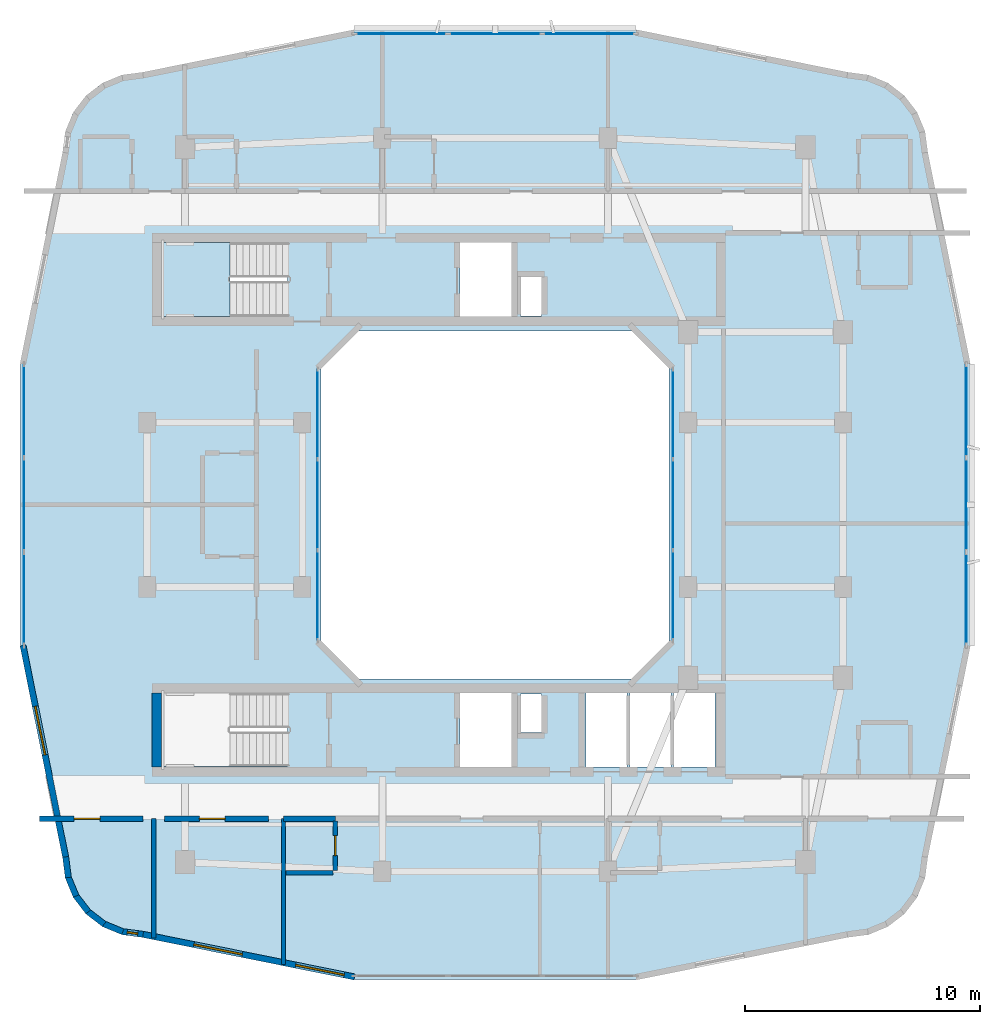
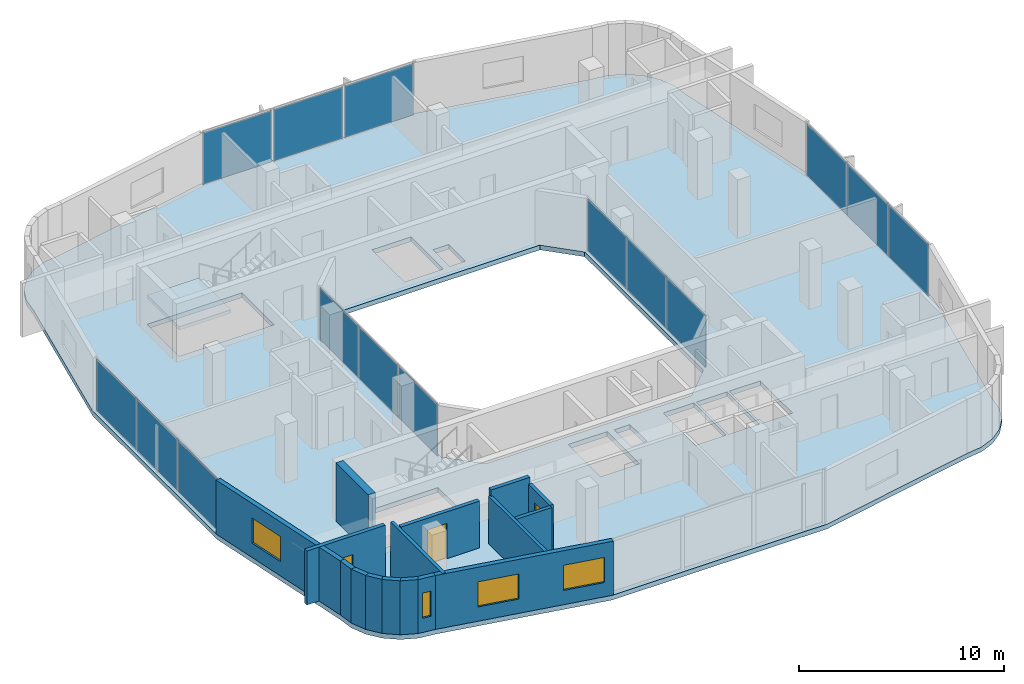
# One storey, part 6 of 14: 16 walls, 15 plates, 4 windows, 3 doors, 2 slabs, 7 openings, 6 elements without a shape of their own.
"""IFC4 building model written with IfcOpenShell, lengths in metres."""

from ifc_helpers import new_model, si_unit, derived_unit, direction, frame, frame_2d, origin, origin_2d, place, context, subcontext, project, spatial, polyline, rectangle, outline, extrude, material, layer, layer_set, type_object, element, fill, aggregate, save


model = new_model("IFC4")

# Units and contexts
model_context = context("Model", 3, precision=1e-05, world=origin(), true_north=direction((0.0, 1.0)))
body_context = subcontext(model_context, "Body", "Model", "MODEL_VIEW")
ifc_project = project(units=[si_unit("LENGTHUNIT", "METRE"), si_unit("AREAUNIT", "SQUARE_METRE"), si_unit("VOLUMEUNIT", "CUBIC_METRE"), si_unit("PLANEANGLEUNIT", "RADIAN"), si_unit("MASSUNIT", "GRAM", prefix="KILO"), derived_unit("THERMALTRANSMITTANCEUNIT", [(si_unit("POWERUNIT", "WATT"), 1), (si_unit("LENGTHUNIT", "METRE"), -2), (si_unit("THERMODYNAMICTEMPERATUREUNIT", "KELVIN"), -1)])], contexts=[model_context])

# Site, building, storey
site_placement = place(None, origin())
site = spatial("IfcSite", under=ifc_project, at=site_placement, CompositionType="ELEMENT")
building_placement = place(site_placement, origin())
building = spatial("IfcBuilding", under=site, at=building_placement, Name="Kivonza Crest Hotel", CompositionType="ELEMENT")
storey_placement = place(building_placement, frame((0.0, 0.0, 159.0)))
storey = spatial("IfcBuildingStorey", under=building, at=storey_placement, Name="L43", CompositionType="ELEMENT", Elevation=159.0)

# Curtain wall, plates
ifc_material_1 = material(Name="Anodised bronze aluminium and low-E double glazing", Category="aluminium")
ifc_layer_1 = layer(ifc_material_1, 0.159912109375)
ifc_layer_set_1 = layer_set([ifc_layer_1], Name="Anodised bronze aluminium and low-E double glazing")
curtain_wall_type_1 = type_object("IfcCurtainWallType", Name="CW-SYS-5", PredefinedType="NOTDEFINED", material=ifc_layer_set_1)
curtain_wall_1_placement = place(storey_placement, origin())
curtain_wall_1 = element("IfcCurtainWall", 1, at=curtain_wall_1_placement, inside=storey, type_object=curtain_wall_type_1, Name="L43 unitised curtain wall CW-WELL-T1-L43-3", PredefinedType="NOTDEFINED")
ifc_material_2 = material(Name="Solar-control low-E double glazing", Category="glass")
ifc_layer_2 = layer(ifc_material_2, 0.028076171875)
ifc_layer_set_2 = layer_set([ifc_layer_2], Name="Solar-control low-E double glazing")
plate_type_1 = type_object("IfcPlateType", Name="CW-PNL-28", PredefinedType="CURTAIN_PANEL", material=ifc_layer_set_2)
plate_1_placement = place(storey_placement, frame((28.56005859375, 21.149658203125, 0.06494140625), z_axis=(0.0, 0.0, 1.0), x_axis=(0.0, 1.0, 0.0)))
plate_1 = element("IfcPlate", 2, at=plate_1_placement, type_object=plate_type_1, Name="CW-5 panel 1.1", PredefinedType="CURTAIN_PANEL", context=body_context, shape_type="SweptSolid", body=[
    extrude(rectangle(XDim=3.769287109375, YDim=0.028076171875, at=origin_2d()), origin(), (0.0, 0.0, 1.0), 3.090087890625),
])
plate_2_placement = place(storey_placement, frame((28.56005859375, 25.0, 0.06494140625), z_axis=(0.0, 0.0, 1.0), x_axis=(0.0, 1.0, 0.0)))
plate_2 = element("IfcPlate", 3, at=plate_2_placement, type_object=plate_type_1, Name="CW-5 panel 2.1", PredefinedType="CURTAIN_PANEL", context=body_context, shape_type="SweptSolid", body=[
    extrude(rectangle(XDim=3.8017578125, YDim=0.028076171875, at=origin_2d()), origin(), (0.0, 0.0, 1.0), 3.090087890625),
])
plate_3_placement = place(storey_placement, frame((28.56005859375, 28.850341796875, 0.06494140625), z_axis=(0.0, 0.0, 1.0), x_axis=(0.0, 1.0, 0.0)))
plate_3 = element("IfcPlate", 4, at=plate_3_placement, type_object=plate_type_1, Name="CW-5 panel 3.1", PredefinedType="CURTAIN_PANEL", context=body_context, shape_type="SweptSolid", body=[
    extrude(rectangle(XDim=3.769287109375, YDim=0.028076171875, at=origin_2d()), origin(), (0.0, 0.0, 1.0), 3.090087890625),
])
aggregate(curtain_wall_1, [plate_1, plate_2, plate_3])

curtain_wall_2_placement = place(storey_placement, origin())
curtain_wall_2 = element("IfcCurtainWall", 5, at=curtain_wall_2_placement, inside=storey, type_object=curtain_wall_type_1, Name="L43 unitised curtain wall CW-WELL-T1-L43-7", PredefinedType="NOTDEFINED")
plate_4_placement = place(storey_placement, frame((13.43994140625, 28.850341796875, 0.06494140625), z_axis=(0.0, 0.0, 1.0), x_axis=(0.0, -1.0, 0.0)))
plate_4 = element("IfcPlate", 6, at=plate_4_placement, type_object=plate_type_1, Name="CW-5 panel 1.1", PredefinedType="CURTAIN_PANEL", context=body_context, shape_type="SweptSolid", body=[
    extrude(rectangle(XDim=3.769287109375, YDim=0.028076171875, at=origin_2d()), origin(), (0.0, 0.0, 1.0), 3.090087890625),
])
plate_5_placement = place(storey_placement, frame((13.43994140625, 25.0, 0.06494140625), z_axis=(0.0, 0.0, 1.0), x_axis=(0.0, -1.0, 0.0)))
plate_5 = element("IfcPlate", 7, at=plate_5_placement, type_object=plate_type_1, Name="CW-5 panel 2.1", PredefinedType="CURTAIN_PANEL", context=body_context, shape_type="SweptSolid", body=[
    extrude(rectangle(XDim=3.8017578125, YDim=0.028076171875, at=origin_2d()), origin(), (0.0, 0.0, 1.0), 3.090087890625),
])
plate_6_placement = place(storey_placement, frame((13.43994140625, 21.149658203125, 0.06494140625), z_axis=(0.0, 0.0, 1.0), x_axis=(0.0, -1.0, 0.0)))
plate_6 = element("IfcPlate", 8, at=plate_6_placement, type_object=plate_type_1, Name="CW-5 panel 3.1", PredefinedType="CURTAIN_PANEL", context=body_context, shape_type="SweptSolid", body=[
    extrude(rectangle(XDim=3.769287109375, YDim=0.028076171875, at=origin_2d()), origin(), (0.0, 0.0, 1.0), 3.090087890625),
])
aggregate(curtain_wall_2, [plate_4, plate_5, plate_6])

ifc_layer_3 = layer(ifc_material_1, 0.179931640625)
ifc_layer_set_3 = layer_set([ifc_layer_3], Name="Anodised bronze aluminium and low-E double glazing")
curtain_wall_type_2 = type_object("IfcCurtainWallType", Name="CW-SYS-3", PredefinedType="NOTDEFINED", material=ifc_layer_set_3)
curtain_wall_3_placement = place(storey_placement, origin())
curtain_wall_3 = element("IfcCurtainWall", 9, at=curtain_wall_3_placement, inside=storey, type_object=curtain_wall_type_2, Name="L43 unitised curtain wall CW-T1-L43-17", PredefinedType="NOTDEFINED")
ifc_material_3 = material(Name="Acoustic triple-laminated low-E glazing", Category="glass")
ifc_layer_4 = layer(ifc_material_3, 0.035888671875)
ifc_layer_set_4 = layer_set([ifc_layer_4], Name="Acoustic triple-laminated low-E glazing")
plate_type_2 = type_object("IfcPlateType", Name="CW-PNL-36", PredefinedType="CURTAIN_PANEL", material=ifc_layer_set_4)
plate_7_placement = place(storey_placement, frame((41.0400390625, 21.00537109375, 0.0751953125), z_axis=(0.0, 0.0, 1.0), x_axis=(0.0, 1.0, 0.0)))
plate_7 = element("IfcPlate", 10, at=plate_7_placement, type_object=plate_type_2, Name="CW-3 panel 1.1", PredefinedType="CURTAIN_PANEL", context=body_context, shape_type="SweptSolid", body=[
    extrude(rectangle(XDim=3.90087890625, YDim=0.035888671875, at=origin_2d()), origin(), (0.0, 0.0, 1.0), 3.070068359375),
])
plate_8_placement = place(storey_placement, frame((41.0400390625, 25.0, 0.0751953125), z_axis=(0.0, 0.0, 1.0), x_axis=(0.0, 1.0, 0.0)))
plate_8 = element("IfcPlate", 11, at=plate_8_placement, type_object=plate_type_2, Name="CW-3 panel 2.1", PredefinedType="CURTAIN_PANEL", context=body_context, shape_type="SweptSolid", body=[
    extrude(rectangle(XDim=3.938232421875, YDim=0.035888671875, at=origin_2d()), origin(), (0.0, 0.0, 1.0), 3.070068359375),
])
plate_9_placement = place(storey_placement, frame((41.0400390625, 28.99462890625, 0.0751953125), z_axis=(0.0, 0.0, 1.0), x_axis=(0.0, 1.0, 0.0)))
plate_9 = element("IfcPlate", 12, at=plate_9_placement, type_object=plate_type_2, Name="CW-3 panel 3.1", PredefinedType="CURTAIN_PANEL", context=body_context, shape_type="SweptSolid", body=[
    extrude(rectangle(XDim=3.90087890625, YDim=0.035888671875, at=origin_2d()), origin(), (0.0, 0.0, 1.0), 3.070068359375),
])
aggregate(curtain_wall_3, [plate_7, plate_8, plate_9])

curtain_wall_4_placement = place(storey_placement, origin())
curtain_wall_4 = element("IfcCurtainWall", 13, at=curtain_wall_4_placement, inside=storey, type_object=curtain_wall_type_2, Name="L43 unitised curtain wall CW-T1-L43-26", PredefinedType="NOTDEFINED")
plate_10_placement = place(storey_placement, frame((24.99462890625, 45.0400390625, 0.0751953125), z_axis=(0.0, 0.0, 1.0), x_axis=(-1.0, 0.0, 0.0)))
plate_10 = element("IfcPlate", 14, at=plate_10_placement, type_object=plate_type_2, Name="CW-3 panel 1.1", PredefinedType="CURTAIN_PANEL", context=body_context, shape_type="SweptSolid", body=[
    extrude(rectangle(XDim=3.90087890625, YDim=0.035888671875, at=origin_2d()), origin(), (0.0, 0.0, 1.0), 3.070068359375),
])
plate_11_placement = place(storey_placement, frame((21.0, 45.0400390625, 0.0751953125), z_axis=(0.0, 0.0, 1.0), x_axis=(-1.0, 0.0, 0.0)))
plate_11 = element("IfcPlate", 15, at=plate_11_placement, type_object=plate_type_2, Name="CW-3 panel 2.1", PredefinedType="CURTAIN_PANEL", context=body_context, shape_type="SweptSolid", body=[
    extrude(rectangle(XDim=3.938232421875, YDim=0.035888671875, at=origin_2d()), origin(), (0.0, 0.0, 1.0), 3.070068359375),
])
plate_12_placement = place(storey_placement, frame((17.00537109375, 45.0400390625, 0.0751953125), z_axis=(0.0, 0.0, 1.0), x_axis=(-1.0, 0.0, 0.0)))
plate_12 = element("IfcPlate", 16, at=plate_12_placement, type_object=plate_type_2, Name="CW-3 panel 3.1", PredefinedType="CURTAIN_PANEL", context=body_context, shape_type="SweptSolid", body=[
    extrude(rectangle(XDim=3.90087890625, YDim=0.035888671875, at=origin_2d()), origin(), (0.0, 0.0, 1.0), 3.070068359375),
])
aggregate(curtain_wall_4, [plate_10, plate_11, plate_12])

curtain_wall_5_placement = place(storey_placement, origin())
curtain_wall_5 = element("IfcCurtainWall", 17, at=curtain_wall_5_placement, inside=storey, type_object=curtain_wall_type_2, Name="L43 unitised curtain wall CW-T1-L43-35", PredefinedType="NOTDEFINED")
plate_13_placement = place(storey_placement, frame((0.9599609375, 28.99462890625, 0.0751953125), z_axis=(0.0, 0.0, 1.0), x_axis=(0.0, -1.0, 0.0)))
plate_13 = element("IfcPlate", 18, at=plate_13_placement, type_object=plate_type_2, Name="CW-3 panel 1.1", PredefinedType="CURTAIN_PANEL", context=body_context, shape_type="SweptSolid", body=[
    extrude(rectangle(XDim=3.90087890625, YDim=0.035888671875, at=origin_2d()), origin(), (0.0, 0.0, 1.0), 3.070068359375),
])
plate_14_placement = place(storey_placement, frame((0.9599609375, 25.0, 0.0751953125), z_axis=(0.0, 0.0, 1.0), x_axis=(0.0, -1.0, 0.0)))
plate_14 = element("IfcPlate", 19, at=plate_14_placement, type_object=plate_type_2, Name="CW-3 panel 2.1", PredefinedType="CURTAIN_PANEL", context=body_context, shape_type="SweptSolid", body=[
    extrude(rectangle(XDim=3.938232421875, YDim=0.035888671875, at=origin_2d()), origin(), (0.0, 0.0, 1.0), 3.070068359375),
])
plate_15_placement = place(storey_placement, frame((0.9599609375, 21.00537109375, 0.0751953125), z_axis=(0.0, 0.0, 1.0), x_axis=(0.0, -1.0, 0.0)))
plate_15 = element("IfcPlate", 20, at=plate_15_placement, type_object=plate_type_2, Name="CW-3 panel 3.1", PredefinedType="CURTAIN_PANEL", context=body_context, shape_type="SweptSolid", body=[
    extrude(rectangle(XDim=3.90087890625, YDim=0.035888671875, at=origin_2d()), origin(), (0.0, 0.0, 1.0), 3.070068359375),
])
aggregate(curtain_wall_5, [plate_13, plate_14, plate_15])

# Slab
ifc_material_4 = material(Name="Concrete C40/50", Category="concrete")
ifc_layer_5 = layer(ifc_material_4, 0.280029296875)
ifc_layer_set_5 = layer_set([ifc_layer_5], Name="Concrete C40/50")
slab_type_1 = type_object("IfcSlabType", Name="SL-HTL-280", PredefinedType="FLOOR", material=ifc_layer_set_5)
slab_1_placement = place(storey_placement, frame((0.0, 0.0, -0.280029296875)))
element("IfcSlab", 21, at=slab_1_placement, inside=storey, type_object=slab_type_1, Name="Tower T1 L43 floor slab", PredefinedType="FLOOR", context=body_context, shape_type="SweptSolid", body=[
    extrude(outline(polyline([(2.60009765625, 10.0), (2.716064453125, 9.1201171875), (3.055908203125, 8.300048828125), (3.595947265625, 7.595947265625), (4.300048828125, 7.055908203125), (5.1201171875, 6.716064453125), (6.0, 6.60009765625), (14.93994140625, 4.800048828125), (27.06005859375, 4.800048828125), (36.0, 6.60009765625), (36.8798828125, 6.716064453125), (37.699951171875, 7.055908203125), (38.404052734375, 7.595947265625), (38.944091796875, 8.300048828125), (39.283935546875, 9.1201171875), (39.39990234375, 10.0), (41.199951171875, 18.93994140625), (41.199951171875, 31.06005859375), (39.39990234375, 40.0), (39.283935546875, 40.8798828125), (38.944091796875, 41.699951171875), (38.404052734375, 42.404052734375), (37.699951171875, 42.944091796875), (36.8798828125, 43.283935546875), (36.0, 43.39990234375), (27.06005859375, 45.199951171875), (14.93994140625, 45.199951171875), (6.0, 43.39990234375), (5.1201171875, 43.283935546875), (4.300048828125, 42.944091796875), (3.595947265625, 42.404052734375), (3.055908203125, 41.699951171875), (2.716064453125, 40.8798828125), (2.60009765625, 40.0), (0.800048828125, 31.06005859375), (0.800048828125, 18.93994140625), (2.60009765625, 10.0)]), holes=[polyline([(15.199951171875, 17.60009765625), (26.800048828125, 17.60009765625), (28.39990234375, 19.199951171875), (28.39990234375, 30.800048828125), (26.800048828125, 32.39990234375), (15.199951171875, 32.39990234375), (13.60009765625, 30.800048828125), (13.60009765625, 19.199951171875), (15.199951171875, 17.60009765625)]), polyline([(6.800048828125, 33.02001953125), (12.159912109375, 33.02001953125), (12.159912109375, 36.159912109375), (6.800048828125, 36.159912109375), (6.800048828125, 33.02001953125)]), polyline([(6.800048828125, 13.860107421875), (12.159912109375, 13.860107421875), (12.159912109375, 17.0), (6.800048828125, 17.0), (6.800048828125, 13.860107421875)]), polyline([(22.080078125, 33.0400390625), (22.969970703125, 33.0400390625), (22.969970703125, 34.679931640625), (22.080078125, 34.679931640625), (22.080078125, 33.0400390625)]), polyline([(22.080078125, 15.320068359375), (22.969970703125, 15.320068359375), (22.969970703125, 16.9599609375), (22.080078125, 16.9599609375), (22.080078125, 15.320068359375)]), polyline([(19.5, 33.0), (21.699951171875, 33.0), (21.699951171875, 36.159912109375), (19.5, 36.159912109375), (19.5, 33.0)]), polyline([(19.5, 13.840087890625), (21.699951171875, 13.840087890625), (21.699951171875, 17.0), (19.5, 17.0), (19.5, 13.840087890625)]), polyline([(24.860107421875, 13.840087890625), (26.60693359375, 13.840087890625), (26.60693359375, 17.0), (24.860107421875, 17.0), (24.860107421875, 13.840087890625)]), polyline([(26.72705078125, 13.840087890625), (28.472900390625, 13.840087890625), (28.472900390625, 17.0), (26.72705078125, 17.0), (26.72705078125, 13.840087890625)]), polyline([(28.593017578125, 13.840087890625), (30.340087890625, 13.840087890625), (30.340087890625, 17.0), (28.593017578125, 17.0), (28.593017578125, 13.840087890625)])]), origin(), (0.0, 0.0, 1.0), 0.280029296875),
])

# Stair, slab
stair_type = type_object("IfcStairType", Name="ST-DL-20R", PredefinedType="HALF_TURN_STAIR", material=ifc_material_4)
stair_placement = place(storey_placement, origin())
stair = element("IfcStair", 22, at=stair_placement, inside=storey, type_object=stair_type, Name="L43 Protected Exit Stair ST-T1-N", PredefinedType="HALF_TURN_STAIR")
ifc_layer_6 = layer(ifc_material_4, 0.199951171875)
ifc_layer_set_6 = layer_set([ifc_layer_6], Name="Concrete C40/50")
slab_type_2 = type_object("IfcSlabType", Name="SL-LAND-200", PredefinedType="LANDING", material=ifc_layer_set_6)
slab_2_placement = place(storey_placement, frame((0.0, 0.0, 1.550048828125)))
slab_2 = element("IfcSlab", 23, at=slab_2_placement, type_object=slab_type_2, Name="ST-T1-N landing 1", PredefinedType="LANDING", context=body_context, shape_type="SweptSolid", body=[
    extrude(outline(polyline([(9.719970703125, 36.159912109375), (6.800048828125, 36.159912109375), (6.800048828125, 33.02001953125), (9.719970703125, 33.02001953125), (9.719970703125, 36.159912109375)])), origin(), (0.0, 0.0, 1.0), 0.199951171875),
])
aggregate(stair, [slab_2])

# Walls
ifc_material_5 = material(Name="High-density acoustic masonry inter-tenancy wall", Category="masonry")
ifc_layer_7 = layer(ifc_material_5, 0.179931640625)
ifc_layer_set_7 = layer_set([ifc_layer_7], Name="High-density acoustic masonry inter-tenancy wall")
wall_type_1 = type_object("IfcWallType", Name="WL-ACOU-180", PredefinedType="SOLIDWALL", material=ifc_layer_set_7)
wall_1_placement = place(storey_placement, frame((6.47998046875, 6.56494140625, 0.0), z_axis=(0.0, 0.0, 1.0), x_axis=(0.0, 1.0, 0.0)))
element("IfcWall", 24, at=wall_1_placement, inside=storey, type_object=wall_type_1, Name="L43 interior partition WA-L43-T1S-SPDIV", PredefinedType="SOLIDWALL", context=body_context, shape_type="SweptSolid", body=[
    extrude(rectangle(XDim=5.0849609375, YDim=0.179931640625, at=frame_2d((2.54248046875, 0.0))), origin(), (0.0, 0.0, 1.0), 3.219970703125),
])
wall_2_placement = place(storey_placement, frame((12.0, 5.452880859375, 0.0), z_axis=(0.0, 0.0, 1.0), x_axis=(0.0, 1.0, 0.0)))
element("IfcWall", 25, at=wall_2_placement, inside=storey, type_object=wall_type_1, Name="L43 interior partition WA-L43-T1S-DIV1", PredefinedType="SOLIDWALL", context=body_context, shape_type="SweptSolid", body=[
    extrude(rectangle(XDim=6.197021484375, YDim=0.179931640625, at=frame_2d((3.0986328125, 0.0))), origin(), (0.0, 0.0, 1.0), 2.8349609375),
])

# Wall, opening, door
ifc_material_6 = material(Name="Autoclaved aerated concrete blockwork", Category="masonry")
ifc_layer_8 = layer(ifc_material_6, 0.219970703125)
ifc_layer_set_8 = layer_set([ifc_layer_8], Name="Autoclaved aerated concrete blockwork")
wall_type_2 = type_object("IfcWallType", Name="WL-ACOU-220", PredefinedType="SOLIDWALL", material=ifc_layer_set_8)
wall_3_placement = place(storey_placement, frame((1.610107421875, 11.64990234375, 0.0), z_axis=(0.0, 0.0, 1.0), x_axis=(1.0, 0.0, 0.0)))
wall_3 = element("IfcWall", 26, at=wall_3_placement, inside=storey, type_object=wall_type_2, Name="L43 interior partition WA-L43-Z2-SPA1-N", PredefinedType="SOLIDWALL", context=body_context, shape_type="SweptSolid", body=[
    extrude(rectangle(XDim=4.419921875, YDim=0.219970703125, at=frame_2d((2.2099609375, 0.0))), origin(), (0.0, 0.0, 1.0), 3.219970703125),
])
opening_1_placement = place(wall_3_placement, frame((1.48388671875, 0.0, 0.0)))
opening_1 = element("IfcOpeningElement", 27, at=opening_1_placement, cuts=wall_3, Name="Opening DF-60M", PredefinedType="OPENING", context=body_context, shape_type="SweptSolid", body=[
    extrude(rectangle(XDim=1.10009765625, YDim=2.10009765625, at=frame_2d((0.550048828125, 1.050048828125))), frame((0.0, 0.1201171875, 0.0), z_axis=(0.0, -1.0, 0.0), x_axis=(1.0, 0.0, 0.0)), (0.0, 0.0, 1.0), 0.239990234375),
])
ifc_material_7 = material(Name="Hardwood timber oak", Category="wood")
door_type_1 = type_object("IfcDoorType", Name="DR-FD60-1100", OperationType="NOTDEFINED", PredefinedType="DOOR", material=ifc_material_7)
door_1_placement = place(opening_1_placement, frame((1.10009765625, 0.0, 0.0), z_axis=(0.0, 0.0, 1.0), x_axis=(-1.0, 0.0, 0.0)))
door_1 = element("IfcDoor", 28, at=door_1_placement, inside=storey, type_object=door_type_1, Name="L43 Horizon Fitness Studio door", OperationType="SINGLE_SWING_RIGHT", OverallHeight=2.10009765625, OverallWidth=1.10009765625, PredefinedType="DOOR", context=body_context, shape_type="SweptSolid", body=[
    extrude(rectangle(XDim=1.10009765625, YDim=2.10009765625, at=frame_2d((0.550048828125, 1.050048828125))), frame((0.0, 0.02490234375, 0.0), z_axis=(0.0, -1.0, 0.0), x_axis=(1.0, 0.0, 0.0)), (0.0, 0.0, 1.0), 0.050048828125),
])
fill(opening_1, door_1)

wall_4_placement = place(storey_placement, frame((6.929931640625, 11.64990234375, 0.0), z_axis=(0.0, 0.0, 1.0), x_axis=(1.0, 0.0, 0.0)))
wall_4 = element("IfcWall", 29, at=wall_4_placement, inside=storey, type_object=wall_type_2, Name="L43 interior partition WA-L43-Z2-SPA2-N", PredefinedType="SOLIDWALL", context=body_context, shape_type="SweptSolid", body=[
    extrude(rectangle(XDim=4.420166015625, YDim=0.219970703125, at=frame_2d((2.2099609375, 0.0))), origin(), (0.0, 0.0, 1.0), 2.794921875),
])
opening_2_placement = place(wall_4_placement, frame((1.48388671875, 0.0, 0.0)))
opening_2 = element("IfcOpeningElement", 30, at=opening_2_placement, cuts=wall_4, Name="Opening DF-60M", PredefinedType="OPENING", context=body_context, shape_type="SweptSolid", body=[
    extrude(rectangle(XDim=1.10009765625, YDim=2.10009765625, at=frame_2d((0.550048828125, 1.050048828125))), frame((0.0, 0.1201171875, 0.0), z_axis=(0.0, -1.0, 0.0), x_axis=(1.0, 0.0, 0.0)), (0.0, 0.0, 1.0), 0.239990234375),
])
door_2_placement = place(opening_2_placement, frame((1.10009765625, 0.0, 0.0), z_axis=(0.0, 0.0, 1.0), x_axis=(-1.0, 0.0, 0.0)))
door_2 = element("IfcDoor", 31, at=door_2_placement, inside=storey, type_object=door_type_1, Name="L43 Horizon Yoga Wellness Studio door", OperationType="SINGLE_SWING_LEFT", OverallHeight=2.10009765625, OverallWidth=1.10009765625, PredefinedType="DOOR", context=body_context, shape_type="SweptSolid", body=[
    extrude(rectangle(XDim=1.10009765625, YDim=2.10009765625, at=frame_2d((0.550048828125, 1.050048828125))), frame((0.0, 0.02490234375, 0.0), z_axis=(0.0, -1.0, 0.0), x_axis=(1.0, 0.0, 0.0)), (0.0, 0.0, 1.0), 0.050048828125),
])
fill(opening_2, door_2)

# Walls
wall_5_placement = place(storey_placement, frame((12.0, 11.64990234375, 0.0), z_axis=(0.0, 0.0, 1.0), x_axis=(1.0, 0.0, 0.0)))
element("IfcWall", 32, at=wall_5_placement, inside=storey, type_object=wall_type_2, Name="L43 interior partition WA-L43-S05-BCORR", PredefinedType="SOLIDWALL", context=body_context, shape_type="SweptSolid", body=[
    extrude(rectangle(XDim=2.199951171875, YDim=0.219970703125, at=frame_2d((1.10009765625, 0.0))), origin(), (0.0, 0.0, 1.0), 3.219970703125),
])
ifc_material_8 = material(Name="Concrete C50/60", Category="concrete")
ifc_layer_9 = layer(ifc_material_8, 0.39990234375)
ifc_layer_set_9 = layer_set([ifc_layer_9], Name="Concrete C50/60")
wall_type_3 = type_object("IfcWallType", Name="WL-CORE-400", PredefinedType="SHEAR", material=ifc_layer_set_9)
wall_6_placement = place(storey_placement, frame((6.60009765625, 13.840087890625, 0.0), z_axis=(0.0, 0.0, 1.0), x_axis=(0.0, 1.0, 0.0)))
element("IfcWall", 33, at=wall_6_placement, inside=storey, type_object=wall_type_3, Name="Core wall T1-S West L43", PredefinedType="SHEAR", context=body_context, shape_type="SweptSolid", body=[
    extrude(rectangle(XDim=3.159912109375, YDim=0.39990234375, at=frame_2d((1.580078125, 0.0))), origin(), (0.0, 0.0, 1.0), 3.5),
])
ifc_material_9 = material(Name="Precast concrete C40/50", Category="concrete")
ifc_layer_10 = layer(ifc_material_9, 0.260009765625)
ifc_layer_set_10 = layer_set([ifc_layer_10], Name="Precast concrete C40/50")
wall_type_4 = type_object("IfcWallType", Name="WL-EXT-260", PredefinedType="STANDARD", material=ifc_layer_set_10)
wall_7_placement = place(storey_placement, frame((2.72802734375, 10.02490234375, 0.0), z_axis=(0.0, 0.0, 1.0), x_axis=(0.130953706898, -0.991388484223, 0.0)))
element("IfcWall", 34, at=wall_7_placement, inside=storey, type_object=wall_type_4, Name="L43 T1 exterior insulated wall 1", PredefinedType="STANDARD", context=body_context, shape_type="SweptSolid", body=[
    extrude(rectangle(XDim=0.885498046875, YDim=0.260009765625, at=frame_2d((0.44287109375, 0.0))), origin(), (0.0, 0.0, 1.0), 3.219970703125),
])
wall_8_placement = place(storey_placement, frame((2.825927734375, 9.193115234375, 0.0), z_axis=(0.0, 0.0, 1.0), x_axis=(0.383290660547, -0.923627776508, 0.0)))
element("IfcWall", 35, at=wall_8_placement, inside=storey, type_object=wall_type_4, Name="L43 T1 exterior insulated wall 2", PredefinedType="STANDARD", context=body_context, shape_type="SweptSolid", body=[
    extrude(rectangle(XDim=0.9033203125, YDim=0.260009765625, at=frame_2d((0.45166015625, 0.0))), origin(), (0.0, 0.0, 1.0), 3.219970703125),
])
wall_9_placement = place(storey_placement, frame((3.14404296875, 8.39892578125, 0.0), z_axis=(0.0, 0.0, 1.0), x_axis=(0.608624690463, -0.793458244748, 0.0)))
element("IfcWall", 36, at=wall_9_placement, inside=storey, type_object=wall_type_4, Name="L43 T1 exterior insulated wall 3", PredefinedType="STANDARD", context=body_context, shape_type="SweptSolid", body=[
    extrude(rectangle(XDim=0.902099609375, YDim=0.260009765625, at=frame_2d((0.451171875, 0.0))), origin(), (0.0, 0.0, 1.0), 3.219970703125),
])
wall_10_placement = place(storey_placement, frame((3.655029296875, 7.714111328125, 0.0), z_axis=(0.0, 0.0, 1.0), x_axis=(0.793558456666, -0.608494022858, 0.0)))
element("IfcWall", 37, at=wall_10_placement, inside=storey, type_object=wall_type_4, Name="L43 T1 exterior insulated wall 4", PredefinedType="STANDARD", context=body_context, shape_type="SweptSolid", body=[
    extrude(rectangle(XDim=0.90234375, YDim=0.260009765625, at=frame_2d((0.451171875, 0.0))), origin(), (0.0, 0.0, 1.0), 3.219970703125),
])
wall_11_placement = place(storey_placement, frame((4.326904296875, 7.18603515625, 0.0), z_axis=(0.0, 0.0, 1.0), x_axis=(0.923683767999, -0.383155708213, 0.0)))
element("IfcWall", 38, at=wall_11_placement, inside=storey, type_object=wall_type_4, Name="L43 T1 exterior insulated wall 5", PredefinedType="STANDARD", context=body_context, shape_type="SweptSolid", body=[
    extrude(rectangle(XDim=0.90283203125, YDim=0.260009765625, at=frame_2d((0.451416015625, 0.0))), origin(), (0.0, 0.0, 1.0), 3.219970703125),
])

# Wall, opening, window
wall_12_placement = place(storey_placement, frame((5.112060546875, 6.847900390625, 0.0), z_axis=(0.0, 0.0, 1.0), x_axis=(0.991487658083, -0.130200706103, 0.0)))
wall_12 = element("IfcWall", 39, at=wall_12_placement, inside=storey, type_object=wall_type_4, Name="L43 T1 exterior insulated wall 6", PredefinedType="STANDARD", context=body_context, shape_type="SweptSolid", body=[
    extrude(rectangle(XDim=0.920654296875, YDim=0.260009765625, at=frame_2d((0.46044921875, 0.0))), origin(), (0.0, 0.0, 1.0), 3.219970703125),
])
opening_3_placement = place(wall_12_placement, frame((0.235107421875, 0.0, 0.85009765625)))
opening_3 = element("IfcOpeningElement", 40, at=opening_3_placement, cuts=wall_12, Name="Opening WN-11", PredefinedType="OPENING", context=body_context, shape_type="SweptSolid", body=[
    extrude(rectangle(XDim=0.449951171875, YDim=1.5, at=frame_2d((0.22509765625, 0.75))), frame((0.0, 0.14013671875, 0.0), z_axis=(0.0, -1.0, 0.0), x_axis=(1.0, 0.0, 0.0)), (0.0, 0.0, 1.0), 0.280029296875),
])
ifc_material_10 = material(Name="Thermally broken bronze aluminium and low-E double glazing", Category="aluminium")
window_type_1 = type_object("IfcWindowType", Name="WN-045x150", PartitioningType="SINGLE_PANEL", PredefinedType="WINDOW", material=ifc_material_10)
window_1_placement = place(opening_3_placement, origin())
window_1 = element("IfcWindow", 41, at=window_1_placement, inside=storey, type_object=window_type_1, Name="L43 corner vision window 2", OverallHeight=1.5, OverallWidth=0.449951171875, PartitioningType="SINGLE_PANEL", PredefinedType="WINDOW", context=body_context, shape_type="SweptSolid", body=[
    extrude(rectangle(XDim=0.449951171875, YDim=1.5, at=frame_2d((0.22509765625, 0.75))), frame((0.0, 0.030029296875, 0.0), z_axis=(0.0, -1.0, 0.0), x_axis=(1.0, 0.0, 0.0)), (0.0, 0.0, 1.0), 0.06005859375),
])
fill(opening_3, window_1)

# Wall, openings, windows
wall_13_placement = place(storey_placement, frame((6.01806640625, 6.72900390625, 0.0), z_axis=(0.0, 0.0, 1.0), x_axis=(0.980315963543, -0.197435082048, 0.0)))
wall_13 = element("IfcWall", 42, at=wall_13_placement, inside=storey, type_object=wall_type_4, Name="L43 T1 exterior insulated wall 7", PredefinedType="STANDARD", context=body_context, shape_type="SweptSolid", body=[
    extrude(rectangle(XDim=9.1826171875, YDim=0.260009765625, at=frame_2d((4.59130859375, 0.0))), origin(), (0.0, 0.0, 1.0), 3.219970703125),
])
opening_4_placement = place(wall_13_placement, frame((2.2109375, 0.0, 0.85009765625)))
opening_4 = element("IfcOpeningElement", 43, at=opening_4_placement, cuts=wall_13, Name="Opening WN-04", PredefinedType="OPENING", context=body_context, shape_type="SweptSolid", body=[
    extrude(rectangle(XDim=2.10009765625, YDim=1.5, at=frame_2d((1.050048828125, 0.75))), frame((0.0, 0.14013671875, 0.0), z_axis=(0.0, -1.0, 0.0), x_axis=(1.0, 0.0, 0.0)), (0.0, 0.0, 1.0), 0.280029296875),
])
opening_5_placement = place(wall_13_placement, frame((6.62890625, 0.0, 0.85009765625)))
opening_5 = element("IfcOpeningElement", 44, at=opening_5_placement, cuts=wall_13, Name="Opening WN-04", PredefinedType="OPENING", context=body_context, shape_type="SweptSolid", body=[
    extrude(rectangle(XDim=2.10009765625, YDim=1.5, at=frame_2d((1.050048828125, 0.75))), frame((0.0, 0.14013671875, 0.0), z_axis=(0.0, -1.0, 0.0), x_axis=(1.0, 0.0, 0.0)), (0.0, 0.0, 1.0), 0.280029296875),
])
window_type_2 = type_object("IfcWindowType", Name="WN-210x150", PartitioningType="DOUBLE_PANEL_VERTICAL", PredefinedType="WINDOW", material=ifc_material_10)
window_2_placement = place(opening_4_placement, origin())
window_2 = element("IfcWindow", 45, at=window_2_placement, inside=storey, type_object=window_type_2, Name="L43 T1 facade window 7 bay 1", OverallHeight=1.5, OverallWidth=2.10009765625, PartitioningType="SINGLE_PANEL", PredefinedType="WINDOW", context=body_context, shape_type="SweptSolid", body=[
    extrude(rectangle(XDim=2.10009765625, YDim=1.5, at=frame_2d((1.050048828125, 0.75))), frame((0.0, 0.030029296875, 0.0), z_axis=(0.0, -1.0, 0.0), x_axis=(1.0, 0.0, 0.0)), (0.0, 0.0, 1.0), 0.06005859375),
])
fill(opening_4, window_2)
window_3_placement = place(opening_5_placement, origin())
window_3 = element("IfcWindow", 46, at=window_3_placement, inside=storey, type_object=window_type_2, Name="L43 T1 facade window 7 bay 2", OverallHeight=1.5, OverallWidth=2.10009765625, PartitioningType="SINGLE_PANEL", PredefinedType="WINDOW", context=body_context, shape_type="SweptSolid", body=[
    extrude(rectangle(XDim=2.10009765625, YDim=1.5, at=frame_2d((1.050048828125, 0.75))), frame((0.0, 0.030029296875, 0.0), z_axis=(0.0, -1.0, 0.0), x_axis=(1.0, 0.0, 0.0)), (0.0, 0.0, 1.0), 0.06005859375),
])
fill(opening_5, window_3)

# Wall, opening, window
wall_14_placement = place(storey_placement, frame((0.916015625, 19.02001953125, 0.0), z_axis=(0.0, 0.0, 1.0), x_axis=(0.197435082048, -0.980315963543, 0.0)))
wall_14 = element("IfcWall", 47, at=wall_14_placement, inside=storey, type_object=wall_type_4, Name="L43 T1 exterior insulated wall 36", PredefinedType="STANDARD", context=body_context, shape_type="SweptSolid", body=[
    extrude(rectangle(XDim=9.1826171875, YDim=0.260009765625, at=frame_2d((4.59130859375, 0.0))), origin(), (0.0, 0.0, 1.0), 3.219970703125),
])
opening_6_placement = place(wall_14_placement, frame((2.64697265625, 0.0, 0.85009765625)))
opening_6 = element("IfcOpeningElement", 48, at=opening_6_placement, cuts=wall_14, Name="Opening WN-04", PredefinedType="OPENING", context=body_context, shape_type="SweptSolid", body=[
    extrude(rectangle(XDim=2.10009765625, YDim=1.5, at=frame_2d((1.050048828125, 0.75))), frame((0.0, 0.14013671875, 0.0), z_axis=(0.0, -1.0, 0.0), x_axis=(1.0, 0.0, 0.0)), (0.0, 0.0, 1.0), 0.280029296875),
])
window_4_placement = place(opening_6_placement, origin())
window_4 = element("IfcWindow", 49, at=window_4_placement, inside=storey, type_object=window_type_2, Name="L43 T1 facade window 36", OverallHeight=1.5, OverallWidth=2.10009765625, PartitioningType="SINGLE_PANEL", PredefinedType="WINDOW", context=body_context, shape_type="SweptSolid", body=[
    extrude(rectangle(XDim=2.10009765625, YDim=1.5, at=frame_2d((1.050048828125, 0.75))), frame((0.0, 0.030029296875, 0.0), z_axis=(0.0, -1.0, 0.0), x_axis=(1.0, 0.0, 0.0)), (0.0, 0.0, 1.0), 0.06005859375),
])
fill(opening_6, window_4)

# Wall, opening, door
ifc_material_11 = material(Name="Moisture-resistant plumbing chase partition wall", Category="gypsum")
ifc_layer_11 = layer(ifc_material_11, 0.199951171875)
ifc_layer_set_11 = layer_set([ifc_layer_11], Name="Moisture-resistant plumbing chase partition wall")
wall_type_5 = type_object("IfcWallType", Name="WL-PLUMB-200", PredefinedType="PLUMBINGWALL", material=ifc_layer_set_11)
wall_15_placement = place(storey_placement, frame((14.199951171875, 9.449951171875, 0.0), z_axis=(0.0, 0.0, 1.0), x_axis=(0.0, 1.0, 0.0)))
wall_15 = element("IfcWall", 50, at=wall_15_placement, inside=storey, type_object=wall_type_5, Name="L43 interior partition WW-L43-S05-BV", PredefinedType="PLUMBINGWALL", context=body_context, shape_type="SweptSolid", body=[
    extrude(rectangle(XDim=2.10009765625, YDim=0.199951171875, at=frame_2d((1.050048828125, 0.0))), origin(), (0.0, 0.0, 1.0), 2.8349609375),
])
opening_7_placement = place(wall_15_placement, frame((0.625, 0.0, 0.0)))
opening_7 = element("IfcOpeningElement", 51, at=opening_7_placement, cuts=wall_15, Name="Opening DI-85", PredefinedType="OPENING", context=body_context, shape_type="SweptSolid", body=[
    extrude(rectangle(XDim=0.85009765625, YDim=2.10009765625, at=frame_2d((0.425048828125, 1.050048828125))), frame((0.0, 0.10986328125, 0.0), z_axis=(0.0, -1.0, 0.0), x_axis=(1.0, 0.0, 0.0)), (0.0, 0.0, 1.0), 0.219970703125),
])
door_type_2 = type_object("IfcDoorType", Name="DR-INT-850", OperationType="NOTDEFINED", PredefinedType="DOOR", material=ifc_material_7)
door_3_placement = place(opening_7_placement, frame((0.85009765625, 0.0, 0.0), z_axis=(0.0, 0.0, 1.0), x_axis=(-1.0, 0.0, 0.0)))
door_3 = element("IfcDoor", 52, at=door_3_placement, inside=storey, type_object=door_type_2, Name="L43 S05 en-suite bathroom door", OperationType="SINGLE_SWING_RIGHT", OverallHeight=2.10009765625, OverallWidth=0.85009765625, PredefinedType="DOOR", context=body_context, shape_type="SweptSolid", body=[
    extrude(rectangle(XDim=0.85009765625, YDim=2.10009765625, at=frame_2d((0.425048828125, 1.050048828125))), frame((0.0, 0.02490234375, 0.0), z_axis=(0.0, -1.0, 0.0), x_axis=(1.0, 0.0, 0.0)), (0.0, 0.0, 1.0), 0.050048828125),
])
fill(opening_7, door_3)

# Wall
wall_16_placement = place(storey_placement, frame((12.10009765625, 9.35009765625, 0.0), z_axis=(0.0, 0.0, 1.0), x_axis=(1.0, 0.0, 0.0)))
element("IfcWall", 53, at=wall_16_placement, inside=storey, type_object=wall_type_5, Name="L43 interior partition WW-L43-S05-BH", PredefinedType="PLUMBINGWALL", context=body_context, shape_type="SweptSolid", body=[
    extrude(rectangle(XDim=2.0, YDim=0.199951171875, at=frame_2d((1.0, 0.0))), origin(), (0.0, 0.0, 1.0), 2.8349609375),
])

save(model, "model.ifc")
